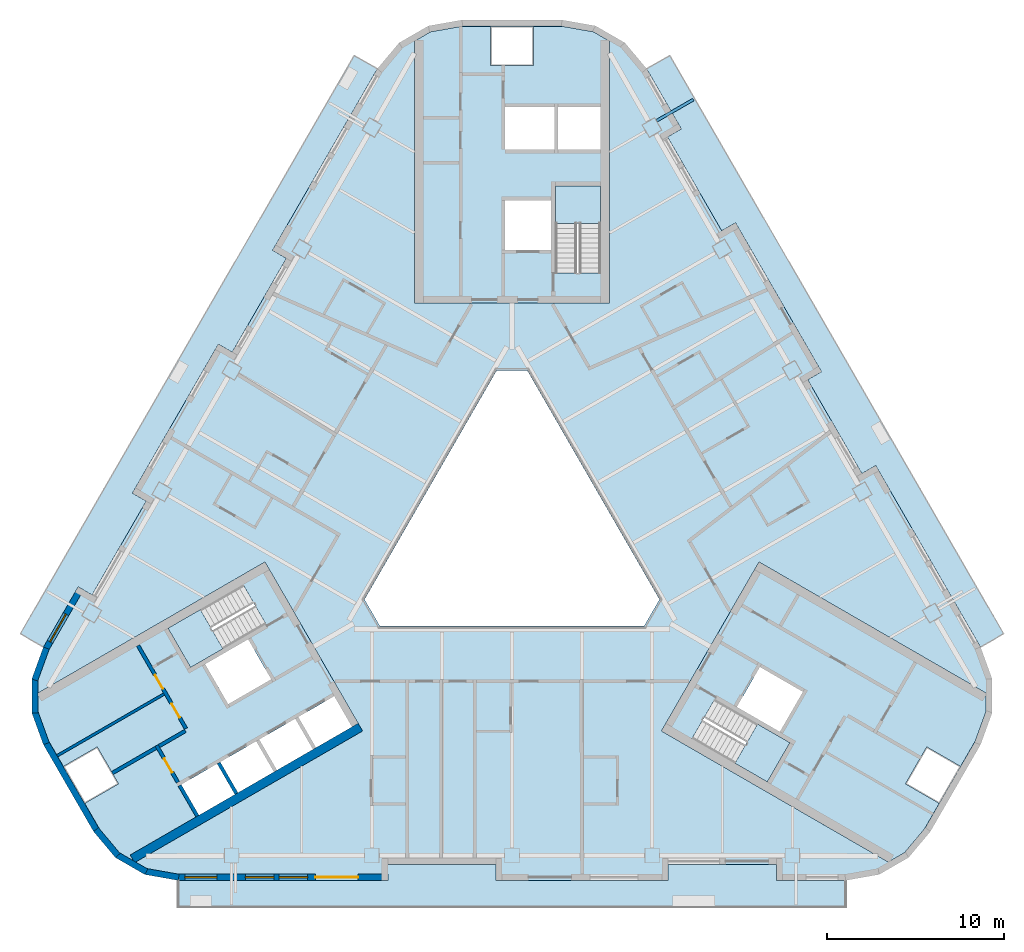
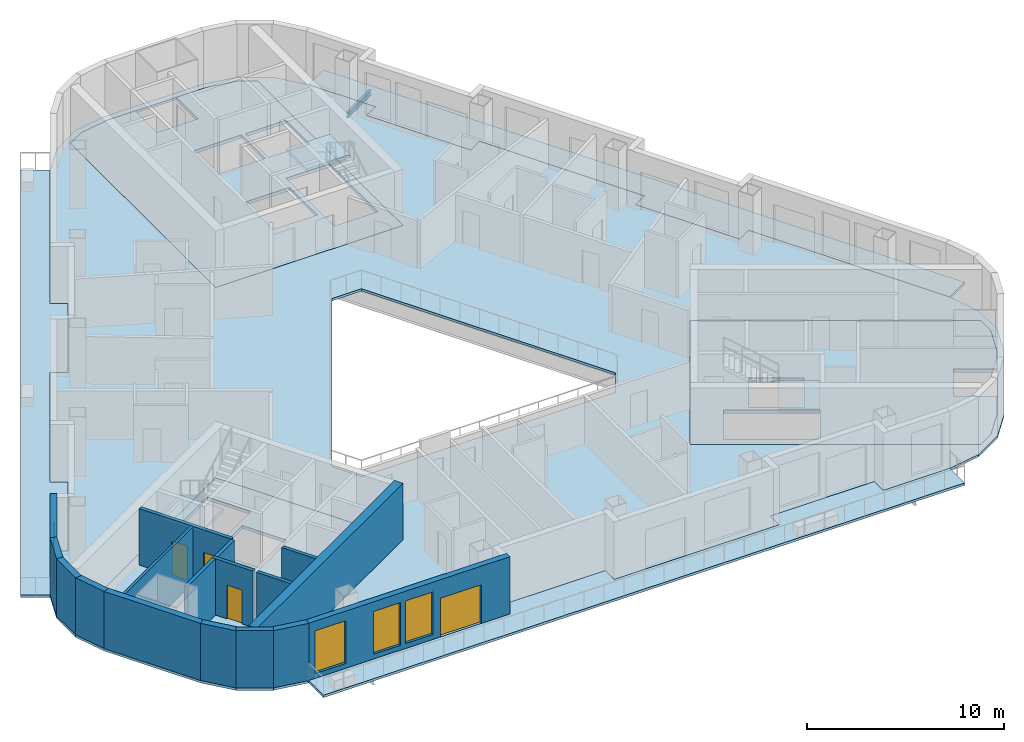
# One storey, part 2 of 14: 17 walls, 10 slabs, 4 doors, 4 windows, 1 beam, 8 openings, 3 elements without a shape of their own.
"""IFC4 building model written with IfcOpenShell, lengths in metres."""

from ifc_helpers import new_model, si_unit, direction, frame, frame_2d, origin, origin_2d, place, context, subcontext, project, spatial, polyline, rectangle, i_section, outline, extrude, material, layer, layer_set, material_profile, profile_set, type_object, element, fill, aggregate, save


model = new_model("IFC4")

# Units and contexts
model_context = context("Model", 3, precision=1e-05, world=origin(), true_north=direction((0.0, 1.0)))
body_context = subcontext(model_context, "Body", "Model", "MODEL_VIEW")
ifc_project = project(units=[si_unit("LENGTHUNIT", "METRE"), si_unit("AREAUNIT", "SQUARE_METRE"), si_unit("VOLUMEUNIT", "CUBIC_METRE"), si_unit("PLANEANGLEUNIT", "RADIAN"), si_unit("MASSUNIT", "GRAM", prefix="KILO")], contexts=[model_context])

# Site, building, storey
site_placement = place(None, origin())
site = spatial("IfcSite", under=ifc_project, at=site_placement, CompositionType="ELEMENT")
building_placement = place(site_placement, origin())
building = spatial("IfcBuilding", under=site, at=building_placement, Name="Apuvela Tower Hotel", CompositionType="ELEMENT")
storey_placement = place(building_placement, frame((0.0, 0.0, 179.89990234375)))
storey = spatial("IfcBuildingStorey", under=building, at=storey_placement, Name="L43", CompositionType="ELEMENT", Elevation=179.89990234375)

# Beam
ifc_material_1 = material(Name="Steel S355", Category="steel")
ifc_material_profile = material_profile(ifc_material_1, i_section(OverallWidth=0.159912109375, OverallDepth=0.330078125, WebThickness=0.007568359375, FlangeThickness=0.011474609375, at=origin_2d()), Name="IPE 330")
ifc_profile_set = profile_set([ifc_material_profile], Name="Steel S355")
beam_type = type_object("IfcBeamType", Name="ENV-BALCONY-BEAM-IPE330", PredefinedType="BEAM", material=ifc_profile_set)
beam_placement = place(storey_placement, frame((8.15576171875, 23.183837890625, -0.31494140625), z_axis=(0.866007538022, 0.500030943131, 0.0), x_axis=(-0.500030943131, 0.866007538022, 0.0)))
element("IfcBeam", 1, at=beam_placement, inside=storey, type_object=beam_type, Name="Balcony cantilever beam NE3 L43", PredefinedType="BEAM", context=body_context, shape_type="SweptSolid", body=[
    extrude(i_section(OverallWidth=0.159912109375, OverallDepth=0.330078125, WebThickness=0.007568359375, FlangeThickness=0.011474609375, at=origin_2d()), origin(), (0.0, 0.0, 1.0), 2.374755859375),
])

# Slabs
ifc_material_2 = material(Name="Concrete C50/60", Category="concrete")
ifc_layer_1 = layer(ifc_material_2, 0.199951171875)
ifc_layer_set_1 = layer_set([ifc_layer_1], Name="COR-FLOOR-200")
slab_type_1 = type_object("IfcSlabType", Name="COR-FLOOR-200", PredefinedType="FLOOR", material=ifc_layer_set_1)
slab_1_placement = place(storey_placement, frame((0.0, 0.0, -0.199951171875)))
element("IfcSlab", 2, at=slab_1_placement, inside=storey, type_object=slab_type_1, Name="Core floor N", PredefinedType="FLOOR", context=body_context, shape_type="SweptSolid", body=[
    extrude(outline(polyline([(5.5, 27.668212890625), (4.588623046875, 28.1943359375), (2.85498046875, 28.5), (1.199951171875, 28.5), (1.199951171875, 26.300048828125), (-1.199951171875, 26.300048828125), (-1.199951171875, 28.5), (-2.85498046875, 28.5), (-4.588623046875, 28.1943359375), (-5.5, 27.668212890625), (-5.5, 12.89990234375), (5.5, 12.89990234375), (5.5, 27.668212890625)]), holes=[polyline([(5.0, 14.60595703125), (2.449951171875, 14.60595703125), (2.449951171875, 19.5), (5.0, 19.5), (5.0, 14.60595703125)]), polyline([(2.199951171875, 15.89990234375), (-0.39990234375, 15.89990234375), (-0.39990234375, 18.699951171875), (2.199951171875, 18.699951171875), (2.199951171875, 15.89990234375)]), polyline([(5.0, 21.550048828125), (2.60009765625, 21.550048828125), (2.60009765625, 23.949951171875), (5.0, 23.949951171875), (5.0, 21.550048828125)]), polyline([(2.39990234375, 21.550048828125), (-0.39990234375, 21.550048828125), (-0.39990234375, 23.949951171875), (2.39990234375, 23.949951171875), (2.39990234375, 21.550048828125)])]), origin(), (0.0, 0.0, 1.0), 0.199951171875),
])
slab_2_placement = place(storey_placement, frame((0.0, 0.0, -0.199951171875)))
element("IfcSlab", 3, at=slab_2_placement, inside=storey, type_object=slab_type_1, Name="Core floor SW", PredefinedType="FLOOR", context=body_context, shape_type="SweptSolid", body=[
    extrude(outline(polyline([(-26.711181640625, -9.07080078125), (-26.711181640625, -10.123291015625), (-26.109375, -11.77734375), (-25.28173828125, -13.210693359375), (-23.37646484375, -12.11083984375), (-22.176513671875, -14.189208984375), (-24.081787109375, -15.289306640625), (-23.254150390625, -16.72265625), (-22.122802734375, -18.071044921875), (-21.211181640625, -18.59716796875), (-8.421630859375, -11.213134765625), (-13.921630859375, -1.68701171875), (-26.711181640625, -9.07080078125)]), holes=[polyline([(-10.01806640625, -9.248046875), (-9.01806640625, -10.97998046875), (-11.044677734375, -12.150146484375), (-12.044677734375, -10.418212890625), (-10.01806640625, -9.248046875)]), polyline([(-14.244384765625, -11.68798828125), (-12.2177734375, -10.51806640625), (-11.2177734375, -12.25), (-13.244384765625, -13.420166015625), (-14.244384765625, -11.68798828125)]), polyline([(-19.387451171875, -5.419921875), (-15.149169921875, -2.972900390625), (-13.874267578125, -5.18115234375), (-18.112548828125, -7.628173828125), (-19.387451171875, -5.419921875)]), polyline([(-14.869873046875, -6.044677734375), (-13.56982421875, -8.29638671875), (-15.99462890625, -9.6962890625), (-17.294677734375, -7.444580078125), (-14.869873046875, -6.044677734375)]), polyline([(-16.444091796875, -12.9580078125), (-14.41748046875, -11.7880859375), (-13.41748046875, -13.52001953125), (-15.444091796875, -14.690185546875), (-16.444091796875, -12.9580078125)]), polyline([(-18.643798828125, -14.22802734375), (-16.6171875, -13.05810546875), (-15.6171875, -14.7900390625), (-17.643798828125, -15.960205078125), (-18.643798828125, -14.22802734375)])]), origin(), (0.0, 0.0, 1.0), 0.199951171875),
])
slab_3_placement = place(storey_placement, frame((0.0, 0.0, -0.199951171875)))
element("IfcSlab", 4, at=slab_3_placement, inside=storey, type_object=slab_type_1, Name="Core floor SE", PredefinedType="FLOOR", context=body_context, shape_type="SweptSolid", body=[
    extrude(outline(polyline([(21.211181640625, -18.59716796875), (22.122802734375, -18.071044921875), (23.254150390625, -16.72265625), (24.081787109375, -15.289306640625), (22.176513671875, -14.189208984375), (23.37646484375, -12.11083984375), (25.28173828125, -13.210693359375), (26.109375, -11.77734375), (26.711181640625, -10.123291015625), (26.711181640625, -9.07080078125), (13.921630859375, -1.68701171875), (8.421630859375, -11.213134765625), (21.211181640625, -18.59716796875)]), holes=[polyline([(11.42431640625, -9.4248046875), (15.66259765625, -11.871826171875), (14.387451171875, -14.080078125), (10.149169921875, -11.633056640625), (11.42431640625, -9.4248046875)]), polyline([(13.9697265625, -7.603515625), (16.394775390625, -9.003662109375), (15.0947265625, -11.25537109375), (12.669921875, -9.855224609375), (13.9697265625, -7.603515625)])]), origin(), (0.0, 0.0, 1.0), 0.199951171875),
])

# Stair, slab
stair_type = type_object("IfcStairType", Name="COR-STAIR-22R", PredefinedType="HALF_TURN_STAIR", material=ifc_material_2)
stair_1_placement = place(storey_placement, origin())
stair_1 = element("IfcStair", 5, at=stair_1_placement, inside=storey, type_object=stair_type, Name="L43 Exit stair ST1", PredefinedType="HALF_TURN_STAIR")
ifc_layer_2 = layer(ifc_material_2, 0.199951171875)
ifc_layer_set_2 = layer_set([ifc_layer_2], Name="COR-LANDING-200")
slab_type_2 = type_object("IfcSlabType", Name="COR-LANDING-200", PredefinedType="LANDING", material=ifc_layer_set_2)
slab_4_placement = place(storey_placement, frame((0.0, 0.0, 1.650146484375)))
slab_4 = element("IfcSlab", 6, at=slab_4_placement, type_object=slab_type_2, Name="ST1 landing 1", PredefinedType="LANDING", context=body_context, shape_type="SweptSolid", body=[
    extrude(outline(polyline([(5.0, 17.39404296875), (5.0, 19.5), (2.449951171875, 19.5), (2.449951171875, 17.39404296875), (5.0, 17.39404296875)])), origin(), (0.0, 0.0, 1.0), 0.199951171875),
])
aggregate(stair_1, [slab_4])

stair_2_placement = place(storey_placement, origin())
stair_2 = element("IfcStair", 7, at=stair_2_placement, inside=storey, type_object=stair_type, Name="L43 Exit stair ST2", PredefinedType="HALF_TURN_STAIR")
slab_5_placement = place(storey_placement, frame((0.0, 0.0, 1.650146484375)))
slab_5 = element("IfcSlab", 8, at=slab_5_placement, type_object=slab_type_2, Name="ST2 landing 1", PredefinedType="LANDING", context=body_context, shape_type="SweptSolid", body=[
    extrude(outline(polyline([(-17.563720703125, -4.366943359375), (-19.387451171875, -5.419921875), (-18.112548828125, -7.628173828125), (-16.28857421875, -6.5751953125), (-17.563720703125, -4.366943359375)])), origin(), (0.0, 0.0, 1.0), 0.199951171875),
])
aggregate(stair_2, [slab_5])

stair_3_placement = place(storey_placement, origin())
stair_3 = element("IfcStair", 9, at=stair_3_placement, inside=storey, type_object=stair_type, Name="L43 Exit stair ST3", PredefinedType="HALF_TURN_STAIR")
slab_6_placement = place(storey_placement, frame((0.0, 0.0, 1.650146484375)))
slab_6 = element("IfcSlab", 10, at=slab_6_placement, type_object=slab_type_2, Name="ST3 landing 1", PredefinedType="LANDING", context=body_context, shape_type="SweptSolid", body=[
    extrude(outline(polyline([(12.563720703125, -13.027099609375), (14.387451171875, -14.080078125), (15.66259765625, -11.871826171875), (13.838623046875, -10.81884765625), (12.563720703125, -13.027099609375)])), origin(), (0.0, 0.0, 1.0), 0.199951171875),
])
aggregate(stair_3, [slab_6])

# Slabs
ifc_material_3 = material(Name="Concrete C40/50, fair-faced", Category="concrete")
ifc_layer_3 = layer(ifc_material_3, 0.14990234375)
ifc_layer_set_3 = layer_set([ifc_layer_3], Name="ENV-BALCONY-150")
slab_type_3 = type_object("IfcSlabType", Name="ENV-BALCONY-150", PredefinedType="FLOOR", material=ifc_layer_set_3)
slab_7_placement = place(storey_placement, frame((0.0, 0.0, -0.14990234375)))
element("IfcSlab", 11, at=slab_7_placement, inside=storey, type_object=slab_type_3, Name="Balcony slab S L43", PredefinedType="FLOOR", context=body_context, shape_type="SweptSolid", body=[
    extrude(outline(polyline([(18.82080078125, -21.135009765625), (-18.82080078125, -21.135009765625), (-18.82080078125, -19.625), (-7.0048828125, -19.625), (-7.0048828125, -18.72509765625), (-0.89501953125, -18.72509765625), (-0.89501953125, -19.625), (8.794921875, -19.625), (8.794921875, -18.72509765625), (14.905029296875, -18.72509765625), (14.905029296875, -19.625), (18.82080078125, -19.625), (18.82080078125, -21.135009765625)])), origin(), (0.0, 0.0, 1.0), 0.14990234375),
])
slab_8_placement = place(storey_placement, frame((0.0, 0.0, -0.14990234375)))
element("IfcSlab", 12, at=slab_8_placement, inside=storey, type_object=slab_type_3, Name="Balcony slab NE L43", PredefinedType="FLOOR", context=body_context, shape_type="SweptSolid", body=[
    extrude(outline(polyline([(17.443359375, 9.037353515625), (12.598388671875, 17.42919921875), (11.81884765625, 16.979248046875), (8.763916015625, 22.2705078125), (9.543212890625, 22.720703125), (7.585205078125, 26.11181640625), (8.89306640625, 26.86669921875), (27.7138671875, -5.731689453125), (26.40625, -6.48681640625), (20.498291015625, 3.74609375), (19.71875, 3.2958984375), (16.663818359375, 8.58740234375), (17.443359375, 9.037353515625)])), origin(), (0.0, 0.0, 1.0), 0.14990234375),
])
slab_9_placement = place(storey_placement, frame((0.0, 0.0, -0.14990234375)))
element("IfcSlab", 13, at=slab_9_placement, inside=storey, type_object=slab_type_3, Name="Balcony slab NW L43", PredefinedType="FLOOR", context=body_context, shape_type="SweptSolid", body=[
    extrude(outline(polyline([(-27.7138671875, -5.731689453125), (-8.89306640625, 26.86669921875), (-7.585205078125, 26.11181640625), (-13.4931640625, 15.87890625), (-12.7138671875, 15.428955078125), (-15.768798828125, 10.1376953125), (-16.548095703125, 10.587646484375), (-21.393310546875, 2.19580078125), (-20.61376953125, 1.745849609375), (-23.668701171875, -3.545654296875), (-24.4482421875, -3.095703125), (-26.40625, -6.48681640625), (-27.7138671875, -5.731689453125)])), origin(), (0.0, 0.0, 1.0), 0.14990234375),
])
ifc_material_4 = material(Name="Concrete C35/45", Category="concrete")
ifc_layer_4 = layer(ifc_material_4, 0.14990234375)
ifc_layer_set_4 = layer_set([ifc_layer_4], Name="STR-SLAB 150 floor Concrete C35/45")
slab_type_4 = type_object("IfcSlabType", Name="STR-SLAB 150 floor Concrete C35/45", PredefinedType="FLOOR", material=ifc_layer_set_4)
slab_10_placement = place(storey_placement, frame((0.0, 0.0, -0.14990234375)))
element("IfcSlab", 14, at=slab_10_placement, inside=storey, type_object=slab_type_4, Name="Floor slab S4 L43", PredefinedType="FLOOR", context=body_context, shape_type="SweptSolid", body=[
    extrude(outline(polyline([(-6.3642578125, 27.5732421875), (-4.710205078125, 28.5283203125), (-2.8291015625, 28.860107421875), (2.8291015625, 28.860107421875), (4.710205078125, 28.5283203125), (6.3642578125, 27.5732421875), (7.59228515625, 26.110107421875), (9.550048828125, 22.71875), (8.770751953125, 22.268798828125), (11.82080078125, 16.986083984375), (12.60009765625, 17.43603515625), (17.4501953125, 9.035400390625), (16.670654296875, 8.58544921875), (19.720703125, 3.302734375), (20.5, 3.752685546875), (26.407958984375, -6.47998046875), (27.061279296875, -8.27490234375), (27.061279296875, -10.18505859375), (26.407958984375, -11.97998046875), (23.5791015625, -16.8798828125), (22.351318359375, -18.34326171875), (20.697021484375, -19.29833984375), (18.81591796875, -19.6298828125), (14.89990234375, -19.6298828125), (14.89990234375, -18.72998046875), (8.800048828125, -18.72998046875), (8.800048828125, -19.6298828125), (-0.89990234375, -19.6298828125), (-0.89990234375, -18.72998046875), (-7.0, -18.72998046875), (-7.0, -19.6298828125), (-18.81591796875, -19.6298828125), (-20.697021484375, -19.29833984375), (-22.351318359375, -18.34326171875), (-23.5791015625, -16.8798828125), (-26.407958984375, -11.97998046875), (-27.061279296875, -10.18505859375), (-27.061279296875, -8.27490234375), (-26.407958984375, -6.47998046875), (-24.4501953125, -3.088623046875), (-23.670654296875, -3.538818359375), (-20.62060546875, 1.743896484375), (-21.400146484375, 2.194091796875), (-16.550048828125, 10.594482421875), (-15.7705078125, 10.14453125), (-12.720703125, 15.42724609375), (-13.5, 15.877197265625), (-7.59228515625, 26.110107421875), (-6.3642578125, 27.5732421875)]), holes=[polyline([(0.865966796875, 9.10009765625), (-0.865966796875, 9.10009765625), (-8.313720703125, -3.800048828125), (-7.44775390625, -5.300048828125), (7.44775390625, -5.300048828125), (8.313720703125, -3.800048828125), (0.865966796875, 9.10009765625)]), polyline([(-5.5, 12.89990234375), (-5.5, 27.668212890625), (-4.588623046875, 28.1943359375), (-2.85498046875, 28.5), (2.85498046875, 28.5), (4.588623046875, 28.1943359375), (5.5, 27.668212890625), (5.5, 12.89990234375), (-5.5, 12.89990234375)]), polyline([(-8.421630859375, -11.213134765625), (-21.211181640625, -18.59716796875), (-22.122802734375, -18.071044921875), (-23.254150390625, -16.72265625), (-26.109375, -11.77734375), (-26.711181640625, -10.123291015625), (-26.711181640625, -9.07080078125), (-13.921630859375, -1.68701171875), (-8.421630859375, -11.213134765625)]), polyline([(13.921630859375, -1.68701171875), (26.711181640625, -9.07080078125), (26.711181640625, -10.123291015625), (26.109375, -11.77734375), (23.254150390625, -16.72265625), (22.122802734375, -18.071044921875), (21.211181640625, -18.59716796875), (8.421630859375, -11.213134765625), (13.921630859375, -1.68701171875)])]), origin(), (0.0, 0.0, 1.0), 0.14990234375),
])

# Walls
ifc_layer_5 = layer(ifc_material_2, 0.5)
ifc_layer_set_5 = layer_set([ifc_layer_5], Name="COR-WALL-CORE-500")
wall_type_1 = type_object("IfcWallType", Name="COR-WALL-CORE-500", PredefinedType="SHEAR", material=ifc_layer_set_5)
wall_1_placement = place(storey_placement, frame((-8.546630859375, -10.99658203125, 0.0), z_axis=(0.0, 0.0, 1.0), x_axis=(-0.866025009528, -0.500000682871, 0.0)))
element("IfcWall", 15, at=wall_1_placement, inside=storey, type_object=wall_type_1, Name="Core wall SW", PredefinedType="SHEAR", context=body_context, shape_type="SweptSolid", body=[
    extrude(rectangle(XDim=14.8369140625, YDim=0.5, at=frame_2d((7.41845703125, 0.0))), origin(), (0.0, 0.0, 1.0), 3.5),
])
ifc_material_5 = material(Name="Blockwork 150 mm plastered", Category="masonry")
ifc_layer_6 = layer(ifc_material_5, 0.14990234375)
ifc_layer_set_6 = layer_set([ifc_layer_6], Name="COR-WALL-PART-150")
wall_type_2 = type_object("IfcWallType", Name="COR-WALL-PART-150", PredefinedType="PARTITIONING", material=ifc_layer_set_6)
wall_2_placement = place(storey_placement, frame((-19.61279296875, -9.129638671875, 0.0), z_axis=(0.0, 0.0, 1.0), x_axis=(-0.866031734426, -0.499989034847, 0.0)))
element("IfcWall", 16, at=wall_2_placement, inside=storey, type_object=wall_type_2, Name="Partition SW", PredefinedType="PARTITIONING", context=body_context, shape_type="SweptSolid", body=[
    extrude(rectangle(XDim=6.949951171875, YDim=0.14990234375, at=frame_2d((3.47509765625, 0.0))), origin(), (0.0, 0.0, 1.0), 3.5),
])

# Wall, openings, doors
ifc_material_6 = material(Name="Blockwork 200 mm plastered", Category="masonry")
ifc_layer_7 = layer(ifc_material_6, 0.199951171875)
ifc_layer_set_7 = layer_set([ifc_layer_7], Name="COR-WALL-PART-200")
wall_type_3 = type_object("IfcWallType", Name="COR-WALL-PART-200", PredefinedType="PARTITIONING", material=ifc_layer_set_7)
wall_3_placement = place(storey_placement, frame((-21.076171875, -6.39501953125, 0.0), z_axis=(0.0, 0.0, 1.0), x_axis=(0.50001468107, -0.866016927499, 0.0)))
wall_3 = element("IfcWall", 17, at=wall_3_placement, inside=storey, type_object=wall_type_3, Name="Partition SW", PredefinedType="PARTITIONING", context=body_context, shape_type="SweptSolid", body=[
    extrude(rectangle(XDim=5.399658203125, YDim=0.199951171875, at=frame_2d((2.69970703125, 0.0))), origin(), (0.0, 0.0, 1.0), 3.5),
])
opening_1_placement = place(wall_3_placement, frame((1.91259765625, 0.0, 0.0)))
opening_1 = element("IfcOpeningElement", 18, at=opening_1_placement, cuts=wall_3, Name="Opening W-RS1", PredefinedType="OPENING", context=body_context, shape_type="SweptSolid", body=[
    extrude(rectangle(XDim=0.89990234375, YDim=2.10009765625, at=frame_2d((0.449951171875, 1.050048828125))), frame((0.0, 0.10986328125, 0.0), z_axis=(0.0, -1.0, 0.0), x_axis=(1.0, 0.0, 0.0)), (0.0, 0.0, 1.0), 0.219970703125),
])
opening_2_placement = place(wall_3_placement, frame((3.78759765625, 0.0, 0.0)))
opening_2 = element("IfcOpeningElement", 19, at=opening_2_placement, cuts=wall_3, Name="Opening W-RS2", PredefinedType="OPENING", context=body_context, shape_type="SweptSolid", body=[
    extrude(rectangle(XDim=0.89990234375, YDim=2.10009765625, at=frame_2d((0.449951171875, 1.050048828125))), frame((0.0, 0.10986328125, 0.0), z_axis=(0.0, -1.0, 0.0), x_axis=(1.0, 0.0, 0.0)), (0.0, 0.0, 1.0), 0.219970703125),
])
ifc_material_7 = material(Name="Steel fire door, powder coated", Category="steel")
door_type_1 = type_object("IfcDoorType", Name="COR-DR-900", OperationType="NOTDEFINED", PredefinedType="DOOR", material=ifc_material_7)
door_1_placement = place(opening_1_placement, frame((0.89990234375, 0.0, 0.0), z_axis=(0.0, 0.0, 1.0), x_axis=(-1.0, 0.0, 0.0)))
door_1 = element("IfcDoor", 20, at=door_1_placement, inside=storey, type_object=door_type_1, Name="Store door W-RS1", OperationType="SINGLE_SWING_LEFT", OverallHeight=2.10009765625, OverallWidth=0.89990234375, PredefinedType="DOOR", context=body_context, shape_type="SweptSolid", body=[
    extrude(rectangle(XDim=0.89990234375, YDim=2.10009765625, at=frame_2d((0.449951171875, 1.050048828125))), frame((0.0, 0.02490234375, 0.0), z_axis=(0.0, -1.0, 0.0), x_axis=(1.0, 0.0, 0.0)), (0.0, 0.0, 1.0), 0.050048828125),
])
fill(opening_1, door_1)
door_2_placement = place(opening_2_placement, frame((0.89990234375, 0.0, 0.0), z_axis=(0.0, 0.0, 1.0), x_axis=(-1.0, 0.0, 0.0)))
door_2 = element("IfcDoor", 21, at=door_2_placement, inside=storey, type_object=door_type_1, Name="Store door W-RS2", OperationType="SINGLE_SWING_LEFT", OverallHeight=2.10009765625, OverallWidth=0.89990234375, PredefinedType="DOOR", context=body_context, shape_type="SweptSolid", body=[
    extrude(rectangle(XDim=0.89990234375, YDim=2.10009765625, at=frame_2d((0.449951171875, 1.050048828125))), frame((0.0, 0.02490234375, 0.0), z_axis=(0.0, -1.0, 0.0), x_axis=(1.0, 0.0, 0.0)), (0.0, 0.0, 1.0), 0.050048828125),
])
fill(opening_2, door_2)

# Wall, opening, door
ifc_layer_8 = layer(ifc_material_2, 0.199951171875)
ifc_layer_set_8 = layer_set([ifc_layer_8], Name="COR-WALL-SHAFT-200")
wall_type_4 = type_object("IfcWallType", Name="COR-WALL-SHAFT-200", PredefinedType="SHEAR", material=ifc_layer_set_8)
wall_4_placement = place(storey_placement, frame((-20.030517578125, -12.0263671875, 0.0), z_axis=(0.0, 0.0, 1.0), x_axis=(0.500033551112, -0.866006032174, 0.0)))
wall_4 = element("IfcWall", 22, at=wall_4_placement, inside=storey, type_object=wall_type_4, Name="Shaft wall SW", PredefinedType="SHEAR", context=body_context, shape_type="SweptSolid", body=[
    extrude(rectangle(XDim=2.400146484375, YDim=0.199951171875, at=frame_2d((1.2001953125, 0.0))), origin(), (0.0, 0.0, 1.0), 3.5),
])
opening_3_placement = place(wall_4_placement, frame((0.85009765625, 0.0, 0.0)))
opening_3 = element("IfcOpeningElement", 23, at=opening_3_placement, cuts=wall_4, Name="Opening W-REP", PredefinedType="OPENING", context=body_context, shape_type="SweptSolid", body=[
    extrude(rectangle(XDim=0.89990234375, YDim=2.10009765625, at=frame_2d((0.449951171875, 1.050048828125))), frame((0.0, 0.10986328125, 0.0), z_axis=(0.0, -1.0, 0.0), x_axis=(1.0, 0.0, 0.0)), (0.0, 0.0, 1.0), 0.219970703125),
])
door_3_placement = place(opening_3_placement, frame((0.89990234375, 0.0, 0.0), z_axis=(0.0, 0.0, 1.0), x_axis=(-1.0, 0.0, 0.0)))
door_3 = element("IfcDoor", 24, at=door_3_placement, inside=storey, type_object=door_type_1, Name="Store door W-REP", OperationType="SINGLE_SWING_LEFT", OverallHeight=2.10009765625, OverallWidth=0.89990234375, PredefinedType="DOOR", context=body_context, shape_type="SweptSolid", body=[
    extrude(rectangle(XDim=0.89990234375, YDim=2.10009765625, at=frame_2d((0.449951171875, 1.050048828125))), frame((0.0, 0.02490234375, 0.0), z_axis=(0.0, -1.0, 0.0), x_axis=(1.0, 0.0, 0.0)), (0.0, 0.0, 1.0), 0.050048828125),
])
fill(opening_3, door_3)

# Walls
wall_5_placement = place(storey_placement, frame((-18.412841796875, -11.2080078125, 0.0), z_axis=(0.0, 0.0, 1.0), x_axis=(-0.866038183914, -0.499977863513, 0.0)))
element("IfcWall", 25, at=wall_5_placement, inside=storey, type_object=wall_type_4, Name="Shaft wall SW", PredefinedType="SHEAR", context=body_context, shape_type="SweptSolid", body=[
    extrude(rectangle(XDim=1.7099609375, YDim=0.199951171875, at=frame_2d((0.85498046875, 0.0))), origin(), (0.0, 0.0, 1.0), 3.5),
])
for number, where, z_axis, x_axis, name in (
    (26, (-16.530517578125, -13.008056640625, 0.0), (0.0, 0.0, 1.0), (0.50002537861, -0.866010750942, 0.0), "Shaft wall SW"),
    (27, (-18.73046875, -14.278076171875, 0.0), (0.0, 0.0, 1.0), (0.50002537861, -0.866010750942, 0.0), "Shaft wall SW"),
):
    element("IfcWall", number, at=place(storey_placement, frame(where, z_axis=z_axis, x_axis=x_axis)), inside=storey, type_object=wall_type_4, Name=name, PredefinedType="SHEAR", context=body_context, shape_type="SweptSolid", body=[
        extrude(rectangle(XDim=2.0, YDim=0.199951171875, at=frame_2d((1.0, 0.0))), origin(), (0.0, 0.0, 1.0), 3.5),
    ])
wall_6_placement = place(storey_placement, frame((-20.06689453125, -12.1630859375, 0.0), z_axis=(0.0, 0.0, 1.0), x_axis=(-0.866055327414, -0.49994816717, 0.0)))
element("IfcWall", 28, at=wall_6_placement, inside=storey, type_object=wall_type_4, Name="Shaft wall SW", PredefinedType="SHEAR", context=body_context, shape_type="SweptSolid", body=[
    extrude(rectangle(XDim=2.840087890625, YDim=0.199951171875, at=frame_2d((1.419921875, 0.0))), origin(), (0.0, 0.0, 1.0), 3.5),
])

# Wall, opening, window
ifc_material_8 = material(Name="Concrete C40/50, dark pigmented precast panel", Category="concrete")
ifc_layer_9 = layer(ifc_material_8, 0.35009765625)
ifc_layer_set_9 = layer_set([ifc_layer_9], Name="ENV-WALL-350")
wall_type_5 = type_object("IfcWallType", Name="ENV-WALL-350", PredefinedType="SOLIDWALL", material=ifc_layer_set_9)
wall_7_placement = place(storey_placement, frame((-24.298583984375, -3.17626953125, 0.0), z_axis=(0.0, 0.0, 1.0), x_axis=(-0.500028278809, -0.866009076391, 0.0)))
wall_7 = element("IfcWall", 29, at=wall_7_placement, inside=storey, type_object=wall_type_5, Name="External wall L43-09", PredefinedType="SOLIDWALL", context=body_context, shape_type="SweptSolid", body=[
    extrude(rectangle(XDim=3.915771484375, YDim=0.35009765625, at=frame_2d((1.9580078125, 0.0))), origin(), (0.0, 0.0, 1.0), 3.550048828125),
])
opening_4_placement = place(wall_7_placement, frame((1.675048828125, 0.0, 0.300048828125)))
opening_4 = element("IfcOpeningElement", 30, at=opening_4_placement, cuts=wall_7, Name="Opening WN18", PredefinedType="OPENING", context=body_context, shape_type="SweptSolid", body=[
    extrude(rectangle(XDim=1.800048828125, YDim=2.64990234375, at=frame_2d((0.89990234375, 1.324951171875))), frame((0.0, 0.18505859375, 0.0), z_axis=(0.0, -1.0, 0.0), x_axis=(1.0, 0.0, 0.0)), (0.0, 0.0, 1.0), 0.3701171875),
])
ifc_material_9 = material(Name="Glass, dark tinted laminated insulated glazing unit", Category="glass")
window_type_1 = type_object("IfcWindowType", Name="ENV-WIN-1800x2650", PartitioningType="SINGLE_PANEL", PredefinedType="WINDOW", material=ifc_material_9)
window_1_placement = place(opening_4_placement, origin())
window_1 = element("IfcWindow", 31, at=window_1_placement, inside=storey, type_object=window_type_1, Name="Window WN18", OverallHeight=2.64990234375, OverallWidth=1.800048828125, PartitioningType="SINGLE_PANEL", PredefinedType="WINDOW", context=body_context, shape_type="SweptSolid", body=[
    extrude(rectangle(XDim=1.800048828125, YDim=2.64990234375, at=frame_2d((0.89990234375, 1.324951171875))), frame((0.0, 0.030029296875, 0.0), z_axis=(0.0, -1.0, 0.0), x_axis=(1.0, 0.0, 0.0)), (0.0, 0.0, 1.0), 0.06005859375),
])
fill(opening_4, window_1)

# Walls
for number, where, z_axis, x_axis, name in (
    (32, (-26.24365234375, -6.539794921875, 0.0), (0.0, 0.0, 1.0), (-0.342030395486, -0.939688889242, 0.0), "External wall L43-10"),
    (33, (-26.88623046875, -8.27490234375, 0.0), (0.0, 0.0, 1.0), (0.0, -1.0, 0.0), "External wall L43-11"),
    (34, (-26.89697265625, -10.125244140625, 0.0), (0.0, 0.0, 1.0), (0.342030395486, -0.939688889242, 0.0), "External wall L43-12"),
):
    element("IfcWall", number, at=place(storey_placement, frame(where, z_axis=z_axis, x_axis=x_axis)), inside=storey, type_object=wall_type_5, Name=name, PredefinedType="SOLIDWALL", context=body_context, shape_type="SweptSolid", body=[
        extrude(rectangle(XDim=1.91015625, YDim=0.35009765625, at=frame_2d((0.955078125, 0.0))), origin(), (0.0, 0.0, 1.0), 3.550048828125),
    ])
wall_8_placement = place(storey_placement, frame((-26.256591796875, -11.892578125, 0.0), z_axis=(0.0, 0.0, 1.0), x_axis=(0.500018773155, -0.866014564827, 0.0)))
element("IfcWall", 35, at=wall_8_placement, inside=storey, type_object=wall_type_5, Name="External wall L43-13", PredefinedType="SOLIDWALL", context=body_context, shape_type="SweptSolid", body=[
    extrude(rectangle(XDim=5.657958984375, YDim=0.35009765625, at=frame_2d((2.8291015625, 0.0))), origin(), (0.0, 0.0, 1.0), 3.550048828125),
])
for number, where, z_axis, x_axis, name in (
    (36, (-23.44482421875, -16.767578125, 0.0), (0.0, 0.0, 1.0), (0.642733291068, -0.76609001857, 0.0), "External wall L43-14"),
    (37, (-22.263671875, -18.191650390625, 0.0), (0.0, 0.0, 1.0), (0.866000389056, -0.500043324278, 0.0), "External wall L43-15"),
):
    element("IfcWall", number, at=place(storey_placement, frame(where, z_axis=z_axis, x_axis=x_axis)), inside=storey, type_object=wall_type_5, Name=name, PredefinedType="SOLIDWALL", context=body_context, shape_type="SweptSolid", body=[
        extrude(rectangle(XDim=1.909912109375, YDim=0.35009765625, at=frame_2d((0.955078125, 0.0))), origin(), (0.0, 0.0, 1.0), 3.550048828125),
    ])
wall_9_placement = place(storey_placement, frame((-20.66650390625, -19.1259765625, 0.0), z_axis=(0.0, 0.0, 1.0), x_axis=(0.984798995425, -0.173697837091, 0.0)))
element("IfcWall", 38, at=wall_9_placement, inside=storey, type_object=wall_type_5, Name="External wall L43-16", PredefinedType="SOLIDWALL", context=body_context, shape_type="SweptSolid", body=[
    extrude(rectangle(XDim=1.91015625, YDim=0.35009765625, at=frame_2d((0.955078125, 0.0))), origin(), (0.0, 0.0, 1.0), 3.550048828125),
])

# Wall, openings, door, windows
wall_10_placement = place(storey_placement, frame((-18.81591796875, -19.455078125, 0.0), z_axis=(0.0, 0.0, 1.0), x_axis=(1.0, 0.0, 0.0)))
wall_10 = element("IfcWall", 39, at=wall_10_placement, inside=storey, type_object=wall_type_5, Name="External wall L43-17", PredefinedType="SOLIDWALL", context=body_context, shape_type="SweptSolid", body=[
    extrude(rectangle(XDim=11.81591796875, YDim=0.35009765625, at=frame_2d((5.907958984375, 0.0))), origin(), (0.0, 0.0, 1.0), 3.550048828125),
])
opening_5_placement = place(wall_10_placement, frame((0.380615234375, 0.0, 0.300048828125)))
opening_5 = element("IfcOpeningElement", 40, at=opening_5_placement, cuts=wall_10, Name="Opening WN18", PredefinedType="OPENING", context=body_context, shape_type="SweptSolid", body=[
    extrude(rectangle(XDim=1.800048828125, YDim=2.64990234375, at=frame_2d((0.89990234375, 1.324951171875))), frame((0.0, 0.18505859375, 0.0), z_axis=(0.0, -1.0, 0.0), x_axis=(1.0, 0.0, 0.0)), (0.0, 0.0, 1.0), 0.3701171875),
])
opening_6_placement = place(wall_10_placement, frame((7.740478515625, 0.0, 0.0)))
opening_6 = element("IfcOpeningElement", 41, at=opening_6_placement, cuts=wall_10, Name="Opening BD24", PredefinedType="OPENING", context=body_context, shape_type="SweptSolid", body=[
    extrude(rectangle(XDim=2.39990234375, YDim=2.39990234375, at=frame_2d((1.199951171875, 1.199951171875))), frame((0.0, 0.18505859375, 0.0), z_axis=(0.0, -1.0, 0.0), x_axis=(1.0, 0.0, 0.0)), (0.0, 0.0, 1.0), 0.3701171875),
])
opening_7_placement = place(wall_10_placement, frame((3.790771484375, 0.0, 0.300048828125)))
opening_7 = element("IfcOpeningElement", 42, at=opening_7_placement, cuts=wall_10, Name="Opening WN16", PredefinedType="OPENING", context=body_context, shape_type="SweptSolid", body=[
    extrude(rectangle(XDim=1.60009765625, YDim=2.64990234375, at=frame_2d((0.800048828125, 1.324951171875))), frame((0.0, 0.18505859375, 0.0), z_axis=(0.0, -1.0, 0.0), x_axis=(1.0, 0.0, 0.0)), (0.0, 0.0, 1.0), 0.3701171875),
])
opening_8_placement = place(wall_10_placement, frame((5.69091796875, 0.0, 0.300048828125)))
opening_8 = element("IfcOpeningElement", 43, at=opening_8_placement, cuts=wall_10, Name="Opening WN16", PredefinedType="OPENING", context=body_context, shape_type="SweptSolid", body=[
    extrude(rectangle(XDim=1.60009765625, YDim=2.64990234375, at=frame_2d((0.800048828125, 1.324951171875))), frame((0.0, 0.18505859375, 0.0), z_axis=(0.0, -1.0, 0.0), x_axis=(1.0, 0.0, 0.0)), (0.0, 0.0, 1.0), 0.3701171875),
])
ifc_material_10 = material(Name="Aluminium 6063-T6, dark bronze anodised frame with dark tinted laminated glass", Category="aluminium")
door_type_2 = type_object("IfcDoorType", Name="ENV-DOOR-BALCONY-2400x2400", OperationType="SLIDING_TO_LEFT", PredefinedType="DOOR", material=ifc_material_10)
door_4_placement = place(opening_6_placement, frame((2.39990234375, 0.0, 0.0), z_axis=(0.0, 0.0, 1.0), x_axis=(-1.0, 0.0, 0.0)))
door_4 = element("IfcDoor", 44, at=door_4_placement, inside=storey, type_object=door_type_2, Name="Balcony door BD24", OperationType="SLIDING_TO_LEFT", OverallHeight=2.39990234375, OverallWidth=2.39990234375, PredefinedType="DOOR", context=body_context, shape_type="SweptSolid", body=[
    extrude(rectangle(XDim=2.39990234375, YDim=2.39990234375, at=frame_2d((1.199951171875, 1.199951171875))), frame((0.0, 0.02490234375, 0.0), z_axis=(0.0, -1.0, 0.0), x_axis=(1.0, 0.0, 0.0)), (0.0, 0.0, 1.0), 0.050048828125),
])
fill(opening_6, door_4)
window_type_2 = type_object("IfcWindowType", Name="ENV-WIN-1600x2650", PartitioningType="SINGLE_PANEL", PredefinedType="WINDOW", material=ifc_material_9)
window_2_placement = place(opening_7_placement, origin())
window_2 = element("IfcWindow", 45, at=window_2_placement, inside=storey, type_object=window_type_2, Name="Window WN16", OverallHeight=2.64990234375, OverallWidth=1.60009765625, PartitioningType="SINGLE_PANEL", PredefinedType="WINDOW", context=body_context, shape_type="SweptSolid", body=[
    extrude(rectangle(XDim=1.60009765625, YDim=2.64990234375, at=frame_2d((0.800048828125, 1.324951171875))), frame((0.0, 0.030029296875, 0.0), z_axis=(0.0, -1.0, 0.0), x_axis=(1.0, 0.0, 0.0)), (0.0, 0.0, 1.0), 0.06005859375),
])
fill(opening_7, window_2)
window_3_placement = place(opening_8_placement, origin())
window_3 = element("IfcWindow", 46, at=window_3_placement, inside=storey, type_object=window_type_2, Name="Window WN16", OverallHeight=2.64990234375, OverallWidth=1.60009765625, PartitioningType="SINGLE_PANEL", PredefinedType="WINDOW", context=body_context, shape_type="SweptSolid", body=[
    extrude(rectangle(XDim=1.60009765625, YDim=2.64990234375, at=frame_2d((0.800048828125, 1.324951171875))), frame((0.0, 0.030029296875, 0.0), z_axis=(0.0, -1.0, 0.0), x_axis=(1.0, 0.0, 0.0)), (0.0, 0.0, 1.0), 0.06005859375),
])
fill(opening_8, window_3)
window_4_placement = place(opening_5_placement, origin())
window_4 = element("IfcWindow", 47, at=window_4_placement, inside=storey, type_object=window_type_1, Name="Window WN18", OverallHeight=2.64990234375, OverallWidth=1.800048828125, PartitioningType="SINGLE_PANEL", PredefinedType="WINDOW", context=body_context, shape_type="SweptSolid", body=[
    extrude(rectangle(XDim=1.800048828125, YDim=2.64990234375, at=frame_2d((0.89990234375, 1.324951171875))), frame((0.0, 0.030029296875, 0.0), z_axis=(0.0, -1.0, 0.0), x_axis=(1.0, 0.0, 0.0)), (0.0, 0.0, 1.0), 0.06005859375),
])
fill(opening_5, window_4)

save(model, "model.ifc")
